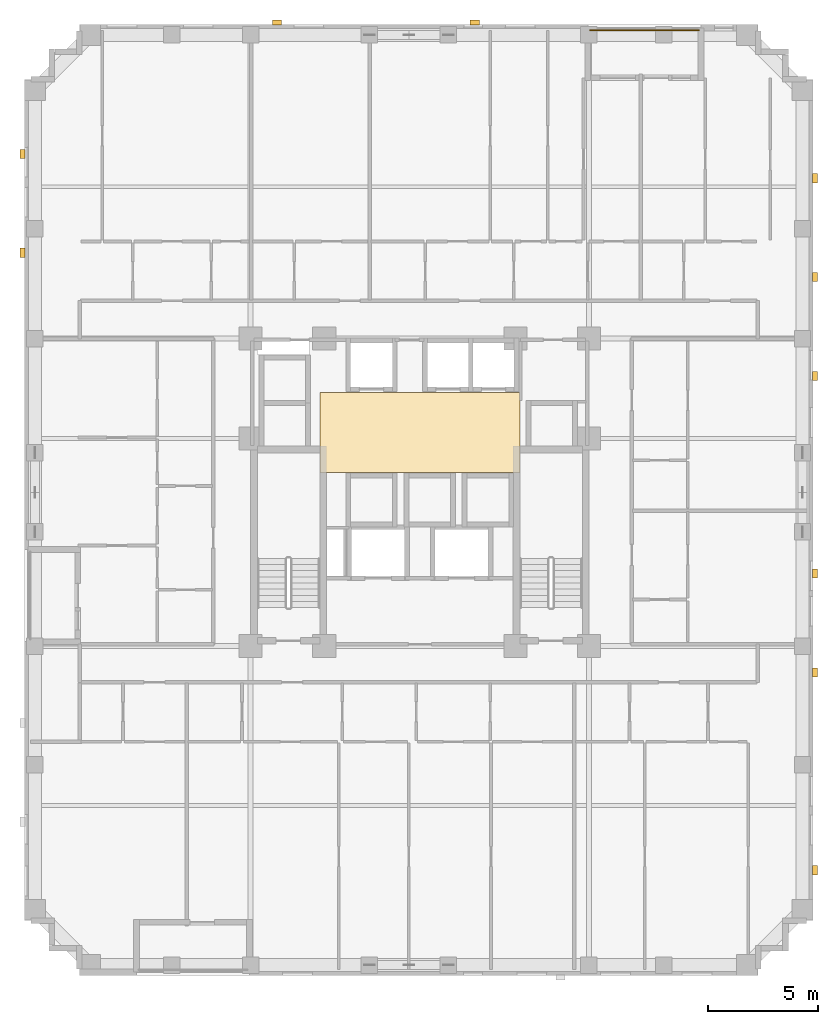
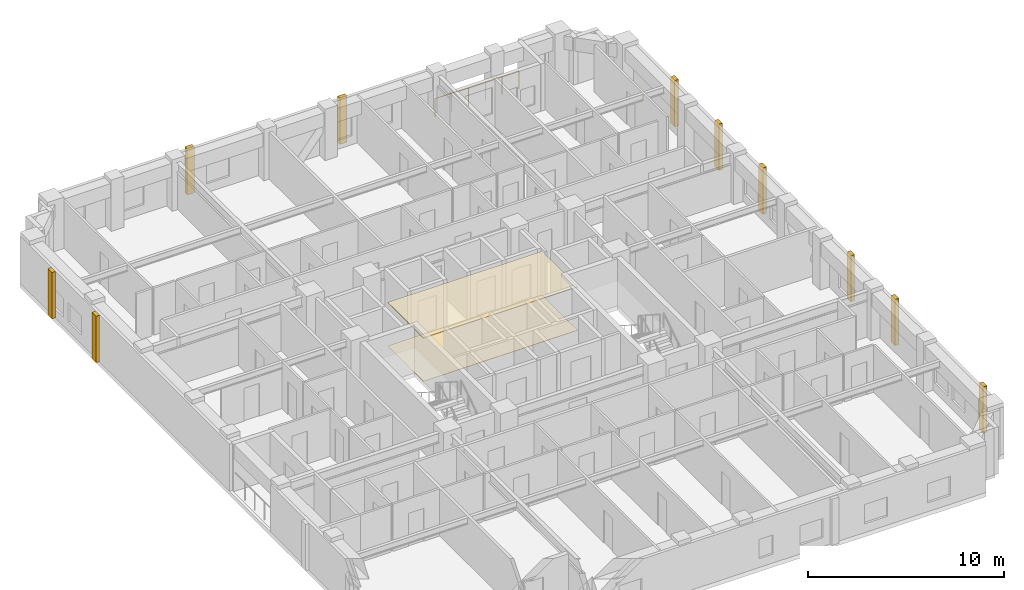
# One storey, part 12 of 12: 12 coverings, 1 railing.
"""IFC4 building model written with IfcOpenShell, lengths in metres."""

from ifc_helpers import new_model, si_unit, derived_unit, direction, frame, origin, origin_2d, place, context, subcontext, project, spatial, polyline, rectangle, circle, outline, extrude, material, layer, layer_set, type_object, element, save


model = new_model("IFC4")

# Units and contexts
model_context = context("Model", 3, precision=1e-05, world=origin(), true_north=direction((0.0, 1.0)))
body_context = subcontext(model_context, "Body", "Model", "MODEL_VIEW")
ifc_project = project(units=[si_unit("LENGTHUNIT", "METRE"), si_unit("AREAUNIT", "SQUARE_METRE"), si_unit("VOLUMEUNIT", "CUBIC_METRE"), si_unit("PLANEANGLEUNIT", "RADIAN"), si_unit("MASSUNIT", "GRAM", prefix="KILO"), derived_unit("THERMALTRANSMITTANCEUNIT", [(si_unit("MASSUNIT", "GRAM", prefix="KILO"), 1), (si_unit("TIMEUNIT", "SECOND"), -3), (si_unit("THERMODYNAMICTEMPERATUREUNIT", "KELVIN"), -1)])], contexts=[model_context])

# Site, building, storey
site_placement = place(None, origin())
site = spatial("IfcSite", under=ifc_project, at=site_placement, CompositionType="ELEMENT")
building_placement = place(site_placement, origin())
building = spatial("IfcBuilding", under=site, at=building_placement, Name="Korrvale Station Residences", CompositionType="ELEMENT")
storey_placement = place(building_placement, frame((0.0, 0.0, 103.89990234375)))
storey = spatial("IfcBuildingStorey", under=building, at=storey_placement, Name="L29", CompositionType="ELEMENT", Elevation=103.89990234375)

# Coverings
ifc_material_1 = material(Name="Perforated acoustic mineral-fibre suspended ceiling", Category="gypsum")
ifc_layer_1 = layer(ifc_material_1, 0.050048828125, Name="Perforated acoustic mineral-fibre suspended ceiling")
ifc_layer_set_1 = layer_set([ifc_layer_1], Name="Perforated acoustic mineral-fibre suspended ceiling")
covering_type_1 = type_object("IfcCoveringType", Name="COV-CLG-AC60", PredefinedType="CEILING", material=ifc_layer_set_1)
covering_1_placement = place(storey_placement, frame((0.0, 0.0, 2.690185546875)))
element("IfcCovering", 1, at=covering_1_placement, inside=storey, type_object=covering_type_1, Name="L29 Elevator Lobby Acoustic Ceiling", PredefinedType="CEILING", context=body_context, shape_type="SweptSolid", body=[
    extrude(outline(polyline([(20.949951171875, 22.89990234375), (30.050048828125, 22.89990234375), (30.050048828125, 26.550048828125), (20.949951171875, 26.550048828125), (20.949951171875, 22.89990234375)])), origin(), (0.0, 0.0, 1.0), 0.0498046875),
])
ifc_material_2 = material(Name="Polished quartz-terrazzo lobby flooring", Category="masonry")
ifc_layer_2 = layer(ifc_material_2, 0.02001953125, Name="Polished quartz-terrazzo lobby flooring")
ifc_layer_set_2 = layer_set([ifc_layer_2], Name="Polished quartz-terrazzo lobby flooring")
covering_type_2 = type_object("IfcCoveringType", Name="COV-FLR-TER20", PredefinedType="FLOORING", material=ifc_layer_set_2)
covering_2_placement = place(storey_placement, origin())
element("IfcCovering", 2, at=covering_2_placement, inside=storey, type_object=covering_type_2, Name="L29 Elevator Lobby Terrazzo Flooring", PredefinedType="FLOORING", context=body_context, shape_type="SweptSolid", body=[
    extrude(outline(polyline([(20.949951171875, 22.89990234375), (30.050048828125, 22.89990234375), (30.050048828125, 26.550048828125), (20.949951171875, 26.550048828125), (20.949951171875, 22.89990234375)])), origin(), (0.0, 0.0, 1.0), 0.02001953125),
])
ifc_material_3 = material(Name="Architectural precast concrete C45/55", Category="concrete")
ifc_layer_3 = layer(ifc_material_3, 0.219970703125, Name="Architectural precast concrete C45/55")
ifc_layer_set_3 = layer_set([ifc_layer_3], Name="Architectural precast concrete C45/55")
covering_type_3 = type_object("IfcCoveringType", Name="COV-PIER-400", PredefinedType="CLADDING", material=ifc_layer_set_3)
for number, where, z_axis, x_axis, name in (
    (3, (19.0, 43.389892578125, 0.025390625), (0.0, 0.0, 1.0), (1.0, 0.0, 0.0), "L29 Architectural Precast Facade Pier 02"),
    (4, (28.0, 43.389892578125, 0.025390625), (0.0, 0.0, 1.0), (1.0, 0.0, 0.0), "L29 Architectural Precast Facade Pier 03"),
    (5, (7.409912109375, 32.89990234375, 0.025390625), (0.0, 0.0, 1.0), (0.0, 1.0, 0.0), "L29 Architectural Precast Facade Pier 06"),
    (6, (7.409912109375, 37.39990234375, 0.025390625), (0.0, 0.0, 1.0), (0.0, 1.0, 0.0), "L29 Architectural Precast Facade Pier 07"),
    (7, (43.489990234375, 36.300048828125, 0.025390625), (0.0, 0.0, 1.0), (0.0, 1.0, 0.0), "L29 Architectural Precast Facade Pier 08"),
    (8, (43.489990234375, 31.800048828125, 0.025390625), (0.0, 0.0, 1.0), (0.0, 1.0, 0.0), "L29 Architectural Precast Facade Pier 09"),
    (9, (43.489990234375, 27.300048828125, 0.025390625), (0.0, 0.0, 1.0), (0.0, 1.0, 0.0), "L29 Architectural Precast Facade Pier 10"),
    (10, (43.489990234375, 18.300048828125, 0.025390625), (0.0, 0.0, 1.0), (0.0, 1.0, 0.0), "L29 Architectural Precast Facade Pier 11"),
    (11, (43.489990234375, 13.800048828125, 0.025390625), (0.0, 0.0, 1.0), (0.0, 1.0, 0.0), "L29 Architectural Precast Facade Pier 12"),
    (12, (43.489990234375, 4.800048828125, 0.025390625), (0.0, 0.0, 1.0), (0.0, 1.0, 0.0), "L29 Architectural Precast Facade Pier 13"),
):
    element("IfcCovering", number, at=place(storey_placement, frame(where, z_axis=z_axis, x_axis=x_axis)), inside=storey, type_object=covering_type_3, Name=name, PredefinedType="CLADDING", context=body_context, shape_type="SweptSolid", body=[
        extrude(rectangle(XDim=0.419921875, YDim=0.219970703125, at=origin_2d()), origin(), (0.0, 0.0, 1.0), 2.889892578125),
    ])

# Railing
ifc_material_4 = material(Name="Powder-coated aluminium picket loggia guard", Category="aluminium")
railing_type = type_object("IfcRailingType", Name="RLG-BAL-1150", PredefinedType="GUARDRAIL", material=ifc_material_4)
railing_placement = place(storey_placement, frame((33.25, 43.030029296875, 0.0)))
element("IfcRailing", 13, at=railing_placement, inside=storey, type_object=railing_type, Name="L29 Recessed Loggia Guardrail BAL-L29-N1", PredefinedType="GUARDRAIL", context=body_context, shape_type="SweptSolid", body=[
    extrude(circle(Radius=0.02392578125, at=origin_2d()), frame((0.0, 0.0, 1.1259765625), z_axis=(1.0, 0.0, 0.0), x_axis=(0.0, 1.0, 0.0)), (0.0, 0.0, 1.0), 4.949951171875),
    extrude(circle(Radius=0.02099609375, at=origin_2d()), origin(), (0.0, 0.0, 1.0), 1.101806640625),
    extrude(circle(Radius=0.02099609375, at=origin_2d()), frame((0.989990234375, 0.0, 0.0)), (0.0, 0.0, 1.0), 1.101806640625),
    extrude(circle(Radius=0.02099609375, at=origin_2d()), frame((1.97998046875, 0.0, 0.0)), (0.0, 0.0, 1.0), 1.101806640625),
    extrude(circle(Radius=0.02099609375, at=origin_2d()), frame((2.969970703125, 0.0, 0.0)), (0.0, 0.0, 1.0), 1.101806640625),
    extrude(circle(Radius=0.02099609375, at=origin_2d()), frame((3.9599609375, 0.0, 0.0)), (0.0, 0.0, 1.0), 1.101806640625),
    extrude(circle(Radius=0.02099609375, at=origin_2d()), frame((4.949951171875, 0.0, 0.0)), (0.0, 0.0, 1.0), 1.101806640625),
])

save(model, "model.ifc")
